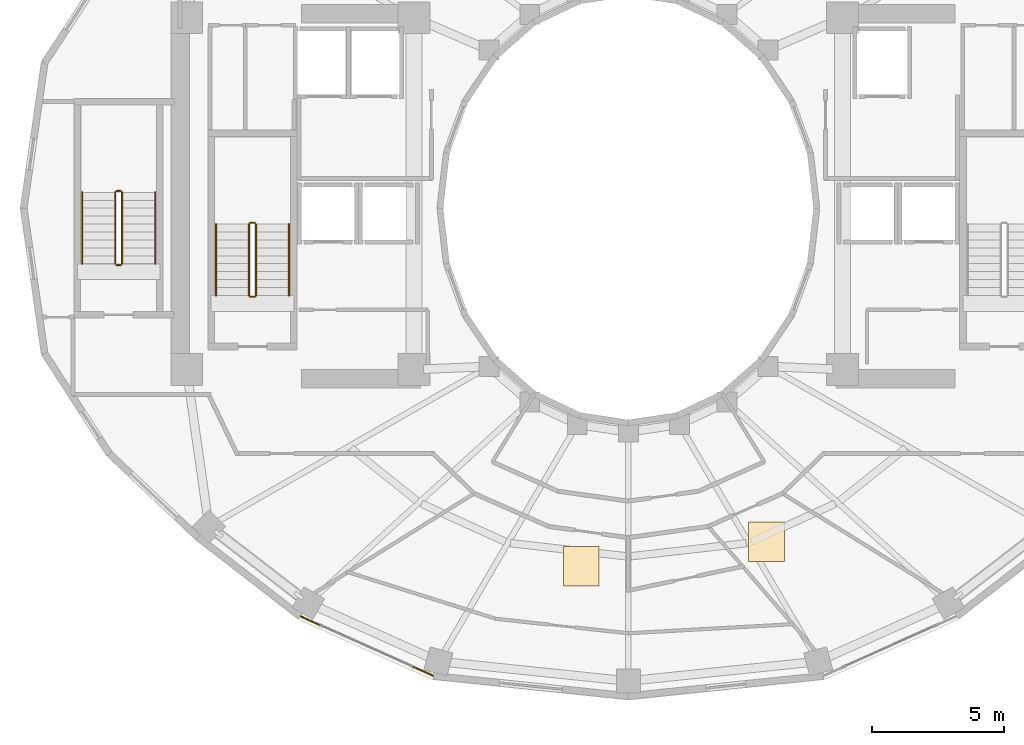
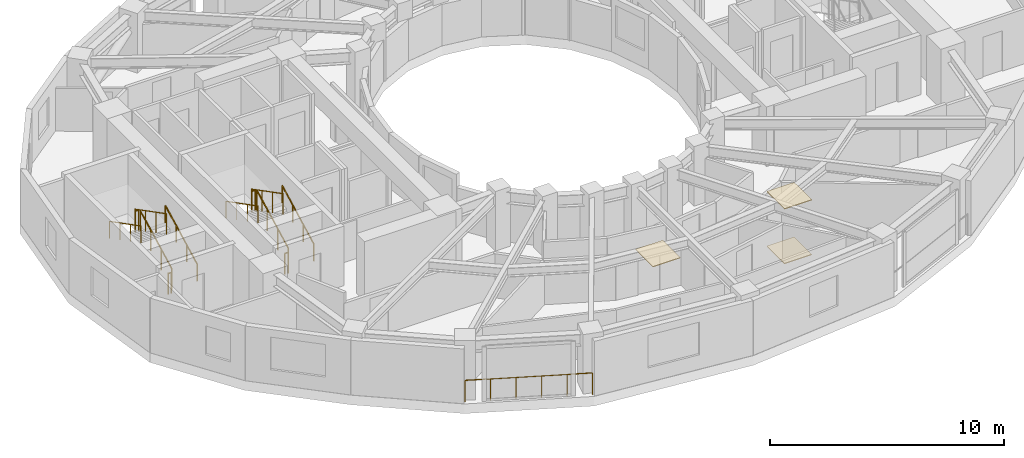
# One storey, part 15 of 17: 13 railings, 3 coverings.
"""IFC4 building model written with IfcOpenShell, lengths in metres."""

import ifcopenshell
import ifcopenshell.guid

model = None  # the IFC model being written
_history = None  # IfcOwnerHistory: only IFC2X3 demands one
_inside = {}  # id of a spatial element -> (the spatial element, [elements in it])
_under = {}  # id of a project, library or spatial element -> (it, [spatial elements below it])
_declared = {}  # id of a project -> (the project, [libraries it declares])
_typed = {}  # id of a type object -> (the type object, [elements of that type])
_made_of = {}  # id of a material, layer set ... -> (it, [elements and type objects made of it])


def new_model(schema):
    """Start an empty IFC model of exactly this schema.

    Asked for "IFC4X3", IfcOpenShell would pick the latest addendum, in which some entities
    have other attributes; the version numbers below select the first issue.
    IFC2X3 requires an IfcOwnerHistory on every rooted entity: one is made here for all.
    """
    global model, _history
    if schema == "IFC4X3":
        model = ifcopenshell.file(schema_version=(4, 3, 0, 0))
    else:
        model = ifcopenshell.file(schema=schema)
    _inside.clear()
    _under.clear()
    _declared.clear()
    _typed.clear()
    _made_of.clear()
    _history = None
    if model.schema == "IFC2X3":
        org = make("IfcOrganization", Name="unknown")
        user = make(
            "IfcPersonAndOrganization",
            ThePerson=make("IfcPerson", FamilyName="unknown"),
            TheOrganization=org,
        )
        app = make(
            "IfcApplication",
            ApplicationDeveloper=org,
            Version="unknown",
            ApplicationFullName="unknown",
            ApplicationIdentifier="unknown",
        )
        _history = make(
            "IfcOwnerHistory",
            OwningUser=user,
            OwningApplication=app,
            ChangeAction="ADDED",
            CreationDate=0,
        )
    return model


def make(cls, **values):
    """One entity of the class cls with the attributes given. An attribute that is None is left unset."""
    return model.create_entity(
        cls, **{name: value for name, value in values.items() if value is not None}
    )


def rooted(cls, **values):
    """An entity with a GlobalId (a new one), such as an element, a storey or a relation."""
    return make(cls, GlobalId=ifcopenshell.guid.new(), OwnerHistory=_history, **values)


def si_unit(unit_type, name, prefix=None):
    """IfcSIUnit, for example si_unit("LENGTHUNIT", "METRE", prefix="MILLI")."""
    return make("IfcSIUnit", UnitType=unit_type, Prefix=prefix, Name=name)


def assignment(units):
    """IfcUnitAssignment: the units of a project."""
    return None if units is None else make("IfcUnitAssignment", Units=units)


def point(xyz):
    """IfcCartesianPoint."""
    return None if xyz is None else make("IfcCartesianPoint", Coordinates=xyz)


def direction(xyz):
    """IfcDirection."""
    return None if xyz is None else make("IfcDirection", DirectionRatios=xyz)


def frame(location, z_axis=None, x_axis=None):
    """IfcAxis2Placement3D, a coordinate frame: its origin and axes. An axis left out is left unset."""
    return make(
        "IfcAxis2Placement3D",
        Location=point(location),
        Axis=direction(z_axis),
        RefDirection=direction(x_axis),
    )


def frame_2d(location, x_axis=None):
    """IfcAxis2Placement2D, a coordinate frame in the plane: its origin and x axis."""
    return make(
        "IfcAxis2Placement2D", Location=point(location), RefDirection=direction(x_axis)
    )


def origin():
    """The frame at (0, 0, 0) with its axes left unset."""
    return frame((0.0, 0.0, 0.0))


def origin_2d():
    """The frame at (0, 0) in the plane with its x axis left unset."""
    return frame_2d((0.0, 0.0))


def place(relative_to, where):
    """IfcLocalPlacement: puts the frame where relative to a parent placement (None: the world)."""
    return make(
        "IfcLocalPlacement", PlacementRelTo=relative_to, RelativePlacement=where
    )


def context(
    kind, dimensions, precision=None, world=None, true_north=None, identifier=None
):
    """IfcGeometricRepresentationContext, for example the 3D "Model" context."""
    return make(
        "IfcGeometricRepresentationContext",
        ContextIdentifier=identifier,
        ContextType=kind,
        CoordinateSpaceDimension=dimensions,
        Precision=precision,
        WorldCoordinateSystem=world,
        TrueNorth=true_north,
    )


def subcontext(parent, identifier, kind, view, scale=None):
    """IfcGeometricRepresentationSubContext, for example "Body" below "Model"."""
    return make(
        "IfcGeometricRepresentationSubContext",
        ContextIdentifier=identifier,
        ContextType=kind,
        ParentContext=parent,
        TargetScale=scale,
        TargetView=view,
    )


def project(units=None, contexts=None):
    """IfcProject with its units and contexts."""
    return rooted(
        "IfcProject",
        Name="project",
        RepresentationContexts=contexts,
        UnitsInContext=assignment(units),
    )


def spatial(cls, under=None, at=None, **own):
    """A site, building, storey or space (cls), placed at a placement, below another one or the project."""
    s = rooted(cls, ObjectPlacement=at, **own)
    if under is not None:
        _under.setdefault(under.id(), (under, []))[1].append(s)
    return s


def polyline(points):
    """IfcPolyline through the points."""
    return make("IfcPolyline", Points=[point(p) for p in points])


def profile(cls, at=None, kind="AREA", **sizes):
    """A parametric profile (cls). Its sizes go by their IFC names, for example OverallWidth=200.0."""
    return make(cls, ProfileType=kind, Position=at, **sizes)


def circle(**sizes):
    """IfcCircleProfileDef."""
    return profile("IfcCircleProfileDef", **sizes)


def outline(outer, holes=None, kind="AREA"):
    """IfcArbitraryClosedProfileDef: a profile drawn as a closed curve; with holes, ...WithVoids."""
    if holes is None:
        return make("IfcArbitraryClosedProfileDef", ProfileType=kind, OuterCurve=outer)
    return make(
        "IfcArbitraryProfileDefWithVoids",
        ProfileType=kind,
        OuterCurve=outer,
        InnerCurves=holes,
    )


def extrude(swept, where, along, depth):
    """IfcExtrudedAreaSolid: the profile swept, set in the frame where, extruded along a direction by depth."""
    return make(
        "IfcExtrudedAreaSolid",
        SweptArea=swept,
        Position=where,
        ExtrudedDirection=direction(along),
        Depth=depth,
    )


def shape(context_of_items, identifier, shape_type, items):
    """IfcShapeRepresentation: the items that make up one representation, for example the "Body"."""
    return make(
        "IfcShapeRepresentation",
        ContextOfItems=context_of_items,
        RepresentationIdentifier=identifier,
        RepresentationType=shape_type,
        Items=items,
    )


def material(Name=None, Category=None):
    """IfcMaterial."""
    return make("IfcMaterial", Name=Name, Category=Category)


def layer(
    of_material, thickness, ventilated=None, Name=None, Category=None, Priority=None
):
    """IfcMaterialLayer: one layer of a wall or slab, of a material (None: an air gap)."""
    return make(
        "IfcMaterialLayer",
        Material=of_material,
        LayerThickness=thickness,
        IsVentilated=ventilated,
        Name=Name,
        Category=Category,
        Priority=Priority,
    )


def layer_set(layers, Name=None):
    """IfcMaterialLayerSet."""
    return make("IfcMaterialLayerSet", MaterialLayers=layers, LayerSetName=Name)


def made_of(thing, what):
    """Note that an element or type object is made of a material, layer set ...; save() writes the relation."""
    if what is not None:
        _made_of.setdefault(what.id(), (what, []))[1].append(thing)
    return thing


def type_object(cls, material=None, **own):
    """A type object (cls), such as IfcWallType, which elements share."""
    return made_of(rooted(cls, **own), material)


def element(
    cls,
    number,
    at=None,
    inside=None,
    cuts=None,
    type_object=None,
    material=None,
    context=None,
    identifier="Body",
    shape_type=None,
    held_by="IfcProductDefinitionShape",
    body=None,
    shapes=None,
    **own,
):
    """One element of the class cls, such as IfcWall. Its Tag is "e" and its number.

    at: its placement. inside: the storey or other place that contains it. cuts: it is an
    opening in that element (IfcRelVoidsElement). A single representation is given by context,
    identifier, shape_type and body (its items); several are given by shapes. held_by: the class
    of the entity that holds the representations. save() writes the other relations.
    """
    e = rooted(cls, Tag="e%d" % number, ObjectPlacement=at, **own)
    if body is not None:
        shapes = [shape(context, identifier, shape_type, body)]
    if shapes is not None:
        e.Representation = make(held_by, Representations=shapes)
    if inside is not None:
        _inside.setdefault(inside.id(), (inside, []))[1].append(e)
    if cuts is not None:
        rooted(
            "IfcRelVoidsElement", RelatingBuildingElement=cuts, RelatedOpeningElement=e
        )
    if type_object is not None:
        _typed.setdefault(type_object.id(), (type_object, []))[1].append(e)
    return made_of(e, material)


def aggregate(whole, parts):
    """IfcRelAggregates: a whole, such as a stair, and the parts it consists of."""
    return rooted("IfcRelAggregates", RelatingObject=whole, RelatedObjects=parts)


def save(model, path):
    """Write the relations noted so far, then the file.

    IfcRelAggregates (storeys below a building ...), IfcRelContainedInSpatialStructure (elements
    in a storey), IfcRelDefinesByType, IfcRelAssociatesMaterial and IfcRelDeclares: one each for
    every whole, place, type object, material and project.
    """
    for whole, parts in _under.values():
        aggregate(whole, parts)
    for where, things in _inside.values():
        rooted(
            "IfcRelContainedInSpatialStructure",
            RelatedElements=things,
            RelatingStructure=where,
        )
    for kind, things in _typed.values():
        rooted("IfcRelDefinesByType", RelatedObjects=things, RelatingType=kind)
    for what, things in _made_of.values():
        rooted("IfcRelAssociatesMaterial", RelatedObjects=things, RelatingMaterial=what)
    for by, libraries in _declared.values():
        rooted("IfcRelDeclares", RelatingContext=by, RelatedDefinitions=libraries)
    model.write(path)


model = new_model("IFC4")

# Units and contexts
model_context = context("Model", 3, precision=1e-05, world=origin(), true_north=direction((0.0, 1.0)))
body_context = subcontext(model_context, "Body", "Model", "MODEL_VIEW")
ifc_project = project(units=[si_unit("LENGTHUNIT", "METRE"), si_unit("AREAUNIT", "SQUARE_METRE"), si_unit("VOLUMEUNIT", "CUBIC_METRE"), si_unit("PLANEANGLEUNIT", "RADIAN"), si_unit("MASSUNIT", "GRAM", prefix="KILO")], contexts=[model_context])

# Site, building, storey
site_placement = place(None, origin())
site = spatial("IfcSite", under=ifc_project, at=site_placement, CompositionType="ELEMENT")
building_placement = place(site_placement, origin())
building = spatial("IfcBuilding", under=site, at=building_placement, Name="Solvane Sanctuary Tower", CompositionType="ELEMENT")
storey_placement = place(building_placement, frame((0.0, 0.0, 171.5)))
storey = spatial("IfcBuildingStorey", under=building, at=storey_placement, Name="L52", CompositionType="ELEMENT", Elevation=171.5)

# Coverings
ifc_material_1 = material(Name="Acoustic Gypsum Partition Board")
ifc_layer_1 = layer(ifc_material_1, 0.02490234375, Name="Acoustic Gypsum Partition Board")
ifc_layer_set_1 = layer_set([ifc_layer_1], Name="Acoustic Gypsum Partition Board")
covering_type_1 = type_object("IfcCoveringType", Name="Covering CLG-ACOUST", PredefinedType="CEILING", material=ifc_layer_set_1)
covering_1_placement = place(storey_placement, frame((0.0, 0.0, 2.85009765625)))
element("IfcCovering", 1, at=covering_1_placement, inside=storey, type_object=covering_type_1, Name="L52 Unit Acoustic Ceiling Panel 3", PredefinedType="CEILING", context=body_context, shape_type="SweptSolid", body=[
    extrude(outline(polyline([(29.54296875, 8.717041015625), (30.89306640625, 8.717041015625), (30.89306640625, 10.217041015625), (29.54296875, 10.217041015625), (29.54296875, 8.717041015625)])), origin(), (0.0, 0.0, 1.0), 0.02978515625),
])
covering_2_placement = place(storey_placement, frame((0.0, 0.0, 2.85009765625)))
element("IfcCovering", 2, at=covering_2_placement, inside=storey, type_object=covering_type_1, Name="L52 Unit Acoustic Ceiling Panel 4", PredefinedType="CEILING", context=body_context, shape_type="SweptSolid", body=[
    extrude(outline(polyline([(36.549072265625, 9.638916015625), (37.89892578125, 9.638916015625), (37.89892578125, 11.138916015625), (36.549072265625, 11.138916015625), (36.549072265625, 9.638916015625)])), origin(), (0.0, 0.0, 1.0), 0.02978515625),
])
ifc_material_2 = material(Name="Ceramic Tile Finish")
ifc_layer_2 = layer(ifc_material_2, 0.030029296875, Name="Ceramic Tile Finish")
ifc_layer_set_2 = layer_set([ifc_layer_2], Name="Ceramic Tile Finish")
covering_type_2 = type_object("IfcCoveringType", Name="Covering FLR-TERRAZZO", PredefinedType="FLOORING", material=ifc_layer_set_2)
covering_3_placement = place(storey_placement, origin())
element("IfcCovering", 3, at=covering_3_placement, inside=storey, type_object=covering_type_2, Name="L52 Unit Terrazzo Inlay 4", PredefinedType="FLOORING", context=body_context, shape_type="SweptSolid", body=[
    extrude(outline(polyline([(36.549072265625, 9.638916015625), (37.89892578125, 9.638916015625), (37.89892578125, 11.138916015625), (36.549072265625, 11.138916015625), (36.549072265625, 9.638916015625)])), origin(), (0.0, 0.0, 1.0), 0.034912109375),
])

# Railings
ifc_material_3 = material(Name="Architectural Stainless Steel 316", Category="steel")
railing_type_1 = type_object("IfcRailingType", Name="Railing GR-BALC-1150", PredefinedType="BALUSTRADE", material=ifc_material_3)
railing_1_placement = place(storey_placement, frame((19.6142578125, 7.568359375, 0.0)))
element("IfcRailing", 4, at=railing_1_placement, inside=storey, type_object=railing_type_1, Name="L52 Curtain-Wall Perimeter Sill Guard 16", PredefinedType="BALUSTRADE", context=body_context, shape_type="SweptSolid", body=[
    extrude(circle(Radius=0.02392578125, at=origin_2d()), frame((0.0, 0.0, 1.1259765625), z_axis=(0.912345036546, -0.409422195649, 0.0), x_axis=(0.409422195649, 0.912345036546, 0.0)), (0.0, 0.0, 1.0), 5.472900390625),
    extrude(circle(Radius=0.02099609375, at=origin_2d()), origin(), (0.0, 0.0, 1.0), 1.101806640625),
    extrude(circle(Radius=0.02099609375, at=origin_2d()), frame((0.99853515625, -0.4482421875, 0.0)), (0.0, 0.0, 1.0), 1.101806640625),
    extrude(circle(Radius=0.02099609375, at=origin_2d()), frame((1.997314453125, -0.896240234375, 0.0)), (0.0, 0.0, 1.0), 1.101806640625),
    extrude(circle(Radius=0.02099609375, at=origin_2d()), frame((2.995849609375, -1.344482421875, 0.0)), (0.0, 0.0, 1.0), 1.101806640625),
    extrude(circle(Radius=0.02099609375, at=origin_2d()), frame((3.99462890625, -1.79248046875, 0.0)), (0.0, 0.0, 1.0), 1.101806640625),
    extrude(circle(Radius=0.02099609375, at=origin_2d()), frame((4.9931640625, -2.24072265625, 0.0)), (0.0, 0.0, 1.0), 1.101806640625),
])
railing_2_placement = place(storey_placement, frame((17.919921875, 19.699951171875, 0.155029296875)))
element("IfcRailing", 5, at=railing_2_placement, inside=storey, type_object=railing_type_1, Name="L52 ST-1 stair guard 1", PredefinedType="BALUSTRADE", context=body_context, shape_type="SweptSolid", body=[
    extrude(circle(Radius=0.02392578125, at=origin_2d()), frame((0.0, 0.0, 1.076171875), z_axis=(0.0, 0.888419900624, 0.459031676658), x_axis=(-1.0, 0.0, 0.0)), (0.0, 0.0, 1.0), 3.0390625),
    extrude(circle(Radius=0.02099609375, at=origin_2d()), origin(), (0.0, 0.0, 1.0), 1.052001953125),
    extrude(circle(Radius=0.02099609375, at=origin_2d()), frame((0.0, 0.89990234375, 0.465087890625)), (0.0, 0.0, 1.0), 1.052001953125),
    extrude(circle(Radius=0.02099609375, at=origin_2d()), frame((0.0, 1.800048828125, 0.929931640625)), (0.0, 0.0, 1.0), 1.052001953125),
    extrude(circle(Radius=0.02099609375, at=origin_2d()), frame((0.0, 2.699951171875, 1.39501953125)), (0.0, 0.0, 1.0), 1.052001953125),
])
railing_3_placement = place(storey_placement, frame((17.8701171875, 22.449951171875, 1.550048828125)))
element("IfcRailing", 6, at=railing_3_placement, inside=storey, type_object=railing_type_1, Name="L52 ST-1 stair guard 2", PredefinedType="BALUSTRADE", context=body_context, shape_type="SweptSolid", body=[
    extrude(circle(Radius=0.02392578125, at=origin_2d()), frame((0.0, 0.0, 1.076171875), z_axis=(-1.0, 0.0, 0.0), x_axis=(0.0, -1.0, 0.0)), (0.0, 0.0, 1.0), 0.16015625),
    extrude(circle(Radius=0.02099609375, at=origin_2d()), origin(), (0.0, 0.0, 1.0), 1.052001953125),
    extrude(circle(Radius=0.02099609375, at=origin_2d()), frame((-0.16015625, 0.0, 0.0)), (0.0, 0.0, 1.0), 1.052001953125),
])
railing_4_placement = place(storey_placement, frame((17.659912109375, 22.39990234375, 1.705078125)))
element("IfcRailing", 7, at=railing_4_placement, inside=storey, type_object=railing_type_1, Name="L52 ST-1 stair guard 3", PredefinedType="BALUSTRADE", context=body_context, shape_type="SweptSolid", body=[
    extrude(circle(Radius=0.02392578125, at=origin_2d()), frame((0.0, 0.0, 1.076171875), z_axis=(0.0, -0.888419900624, 0.459031676658), x_axis=(1.0, 0.0, 0.0)), (0.0, 0.0, 1.0), 3.0390625),
    extrude(circle(Radius=0.02099609375, at=origin_2d()), origin(), (0.0, 0.0, 1.0), 1.052001953125),
    extrude(circle(Radius=0.02099609375, at=origin_2d()), frame((0.0, -0.89990234375, 0.465087890625)), (0.0, 0.0, 1.0), 1.052001953125),
    extrude(circle(Radius=0.02099609375, at=origin_2d()), frame((0.0, -1.800048828125, 0.929931640625)), (0.0, 0.0, 1.0), 1.052001953125),
    extrude(circle(Radius=0.02099609375, at=origin_2d()), frame((0.0, -2.699951171875, 1.39501953125)), (0.0, 0.0, 1.0), 1.052001953125),
])
railing_5_placement = place(storey_placement, frame((17.8701171875, 19.64990234375, 0.0)))
element("IfcRailing", 8, at=railing_5_placement, inside=storey, type_object=railing_type_1, Name="L52 ST-1 stair guard 4", PredefinedType="BALUSTRADE", context=body_context, shape_type="SweptSolid", body=[
    extrude(circle(Radius=0.02392578125, at=origin_2d()), frame((0.0, 0.0, 1.076171875), z_axis=(-1.0, 0.0, 0.0), x_axis=(0.0, -1.0, 0.0)), (0.0, 0.0, 1.0), 0.16015625),
    extrude(circle(Radius=0.02099609375, at=origin_2d()), origin(), (0.0, 0.0, 1.0), 1.052001953125),
    extrude(circle(Radius=0.02099609375, at=origin_2d()), frame((-0.16015625, 0.0, 0.0)), (0.0, 0.0, 1.0), 1.052001953125),
])
railing_6_placement = place(storey_placement, frame((12.860107421875, 20.89990234375, 0.155029296875)))
element("IfcRailing", 9, at=railing_6_placement, inside=storey, type_object=railing_type_1, Name="L52 ST-3 stair guard 1", PredefinedType="BALUSTRADE", context=body_context, shape_type="SweptSolid", body=[
    extrude(circle(Radius=0.02392578125, at=origin_2d()), frame((0.0, 0.0, 1.076171875), z_axis=(0.0, 0.888436826113, 0.458998917216), x_axis=(-1.0, 0.0, 0.0)), (0.0, 0.0, 1.0), 3.039306640625),
    extrude(circle(Radius=0.02099609375, at=origin_2d()), origin(), (0.0, 0.0, 1.0), 1.052001953125),
    extrude(circle(Radius=0.02099609375, at=origin_2d()), frame((0.0, 0.900146484375, 0.465087890625)), (0.0, 0.0, 1.0), 1.052001953125),
    extrude(circle(Radius=0.02099609375, at=origin_2d()), frame((0.0, 1.800048828125, 0.929931640625)), (0.0, 0.0, 1.0), 1.052001953125),
    extrude(circle(Radius=0.02099609375, at=origin_2d()), frame((0.0, 2.7001953125, 1.39501953125)), (0.0, 0.0, 1.0), 1.052001953125),
])
railing_7_placement = place(storey_placement, frame((12.81005859375, 23.64990234375, 1.550048828125)))
element("IfcRailing", 10, at=railing_7_placement, inside=storey, type_object=railing_type_1, Name="L52 ST-3 stair guard 2", PredefinedType="BALUSTRADE", context=body_context, shape_type="SweptSolid", body=[
    extrude(circle(Radius=0.02392578125, at=origin_2d()), frame((0.0, 0.0, 1.076171875), z_axis=(-1.0, 0.0, 0.0), x_axis=(0.0, -1.0, 0.0)), (0.0, 0.0, 1.0), 0.16015625),
    extrude(circle(Radius=0.02099609375, at=origin_2d()), origin(), (0.0, 0.0, 1.0), 1.052001953125),
    extrude(circle(Radius=0.02099609375, at=origin_2d()), frame((-0.16015625, 0.0, 0.0)), (0.0, 0.0, 1.0), 1.052001953125),
])
railing_8_placement = place(storey_placement, frame((12.60009765625, 23.60009765625, 1.705078125)))
element("IfcRailing", 11, at=railing_8_placement, inside=storey, type_object=railing_type_1, Name="L52 ST-3 stair guard 3", PredefinedType="BALUSTRADE", context=body_context, shape_type="SweptSolid", body=[
    extrude(circle(Radius=0.02392578125, at=origin_2d()), frame((0.0, 0.0, 1.076171875), z_axis=(0.0, -0.888436826113, 0.458998917216), x_axis=(1.0, 0.0, 0.0)), (0.0, 0.0, 1.0), 3.039306640625),
    extrude(circle(Radius=0.02099609375, at=origin_2d()), origin(), (0.0, 0.0, 1.0), 1.052001953125),
    extrude(circle(Radius=0.02099609375, at=origin_2d()), frame((0.0, -0.900146484375, 0.465087890625)), (0.0, 0.0, 1.0), 1.052001953125),
    extrude(circle(Radius=0.02099609375, at=origin_2d()), frame((0.0, -1.800048828125, 0.929931640625)), (0.0, 0.0, 1.0), 1.052001953125),
    extrude(circle(Radius=0.02099609375, at=origin_2d()), frame((0.0, -2.7001953125, 1.39501953125)), (0.0, 0.0, 1.0), 1.052001953125),
])
railing_9_placement = place(storey_placement, frame((12.81005859375, 20.85009765625, 0.0)))
element("IfcRailing", 12, at=railing_9_placement, inside=storey, type_object=railing_type_1, Name="L52 ST-3 stair guard 4", PredefinedType="BALUSTRADE", context=body_context, shape_type="SweptSolid", body=[
    extrude(circle(Radius=0.02392578125, at=origin_2d()), frame((0.0, 0.0, 1.076171875), z_axis=(-1.0, 0.0, 0.0), x_axis=(0.0, -1.0, 0.0)), (0.0, 0.0, 1.0), 0.16015625),
    extrude(circle(Radius=0.02099609375, at=origin_2d()), origin(), (0.0, 0.0, 1.0), 1.052001953125),
    extrude(circle(Radius=0.02099609375, at=origin_2d()), frame((-0.16015625, 0.0, 0.0)), (0.0, 0.0, 1.0), 1.052001953125),
])
railing_type_2 = type_object("IfcRailingType", Name="Railing HR-STAIR-920", PredefinedType="HANDRAIL", material=ifc_material_3)
railing_10_placement = place(storey_placement, frame((19.169921875, 19.699951171875, 0.155029296875)))
element("IfcRailing", 13, at=railing_10_placement, inside=storey, type_object=railing_type_2, Name="L52 ST-1 stair handrail 1", PredefinedType="HANDRAIL", context=body_context, shape_type="SweptSolid", body=[
    extrude(circle(Radius=0.02392578125, at=origin_2d()), frame((0.0, 0.0, 0.8759765625), z_axis=(0.0, 0.888419900624, 0.459031676658), x_axis=(-1.0, 0.0, 0.0)), (0.0, 0.0, 1.0), 3.0390625),
    extrude(circle(Radius=0.02099609375, at=origin_2d()), origin(), (0.0, 0.0, 1.0), 0.851806640625),
    extrude(circle(Radius=0.02099609375, at=origin_2d()), frame((0.0, 0.89990234375, 0.465087890625)), (0.0, 0.0, 1.0), 0.851806640625),
    extrude(circle(Radius=0.02099609375, at=origin_2d()), frame((0.0, 1.800048828125, 0.929931640625)), (0.0, 0.0, 1.0), 0.851806640625),
    extrude(circle(Radius=0.02099609375, at=origin_2d()), frame((0.0, 2.699951171875, 1.39501953125)), (0.0, 0.0, 1.0), 0.851806640625),
])
railing_11_placement = place(storey_placement, frame((16.409912109375, 22.39990234375, 1.705078125)))
element("IfcRailing", 14, at=railing_11_placement, inside=storey, type_object=railing_type_2, Name="L52 ST-1 stair handrail 2", PredefinedType="HANDRAIL", context=body_context, shape_type="SweptSolid", body=[
    extrude(circle(Radius=0.02392578125, at=origin_2d()), frame((0.0, 0.0, 0.8759765625), z_axis=(0.0, -0.888419900624, 0.459031676658), x_axis=(1.0, 0.0, 0.0)), (0.0, 0.0, 1.0), 3.0390625),
    extrude(circle(Radius=0.02099609375, at=origin_2d()), origin(), (0.0, 0.0, 1.0), 0.851806640625),
    extrude(circle(Radius=0.02099609375, at=origin_2d()), frame((0.0, -0.89990234375, 0.465087890625)), (0.0, 0.0, 1.0), 0.851806640625),
    extrude(circle(Radius=0.02099609375, at=origin_2d()), frame((0.0, -1.800048828125, 0.929931640625)), (0.0, 0.0, 1.0), 0.851806640625),
    extrude(circle(Radius=0.02099609375, at=origin_2d()), frame((0.0, -2.699951171875, 1.39501953125)), (0.0, 0.0, 1.0), 0.851806640625),
])
railing_12_placement = place(storey_placement, frame((14.110107421875, 20.89990234375, 0.155029296875)))
element("IfcRailing", 15, at=railing_12_placement, inside=storey, type_object=railing_type_2, Name="L52 ST-3 stair handrail 1", PredefinedType="HANDRAIL", context=body_context, shape_type="SweptSolid", body=[
    extrude(circle(Radius=0.02392578125, at=origin_2d()), frame((0.0, 0.0, 0.8759765625), z_axis=(0.0, 0.888436826113, 0.458998917216), x_axis=(-1.0, 0.0, 0.0)), (0.0, 0.0, 1.0), 3.039306640625),
    extrude(circle(Radius=0.02099609375, at=origin_2d()), origin(), (0.0, 0.0, 1.0), 0.851806640625),
    extrude(circle(Radius=0.02099609375, at=origin_2d()), frame((0.0, 0.900146484375, 0.465087890625)), (0.0, 0.0, 1.0), 0.851806640625),
    extrude(circle(Radius=0.02099609375, at=origin_2d()), frame((0.0, 1.800048828125, 0.929931640625)), (0.0, 0.0, 1.0), 0.851806640625),
    extrude(circle(Radius=0.02099609375, at=origin_2d()), frame((0.0, 2.7001953125, 1.39501953125)), (0.0, 0.0, 1.0), 0.851806640625),
])
railing_13_placement = place(storey_placement, frame((11.35009765625, 23.60009765625, 1.705078125)))
element("IfcRailing", 16, at=railing_13_placement, inside=storey, type_object=railing_type_2, Name="L52 ST-3 stair handrail 2", PredefinedType="HANDRAIL", context=body_context, shape_type="SweptSolid", body=[
    extrude(circle(Radius=0.02392578125, at=origin_2d()), frame((0.0, 0.0, 0.8759765625), z_axis=(0.0, -0.888436826113, 0.458998917216), x_axis=(1.0, 0.0, 0.0)), (0.0, 0.0, 1.0), 3.039306640625),
    extrude(circle(Radius=0.02099609375, at=origin_2d()), origin(), (0.0, 0.0, 1.0), 0.851806640625),
    extrude(circle(Radius=0.02099609375, at=origin_2d()), frame((0.0, -0.900146484375, 0.465087890625)), (0.0, 0.0, 1.0), 0.851806640625),
    extrude(circle(Radius=0.02099609375, at=origin_2d()), frame((0.0, -1.800048828125, 0.929931640625)), (0.0, 0.0, 1.0), 0.851806640625),
    extrude(circle(Radius=0.02099609375, at=origin_2d()), frame((0.0, -2.7001953125, 1.39501953125)), (0.0, 0.0, 1.0), 0.851806640625),
])

save(model, "model.ifc")
